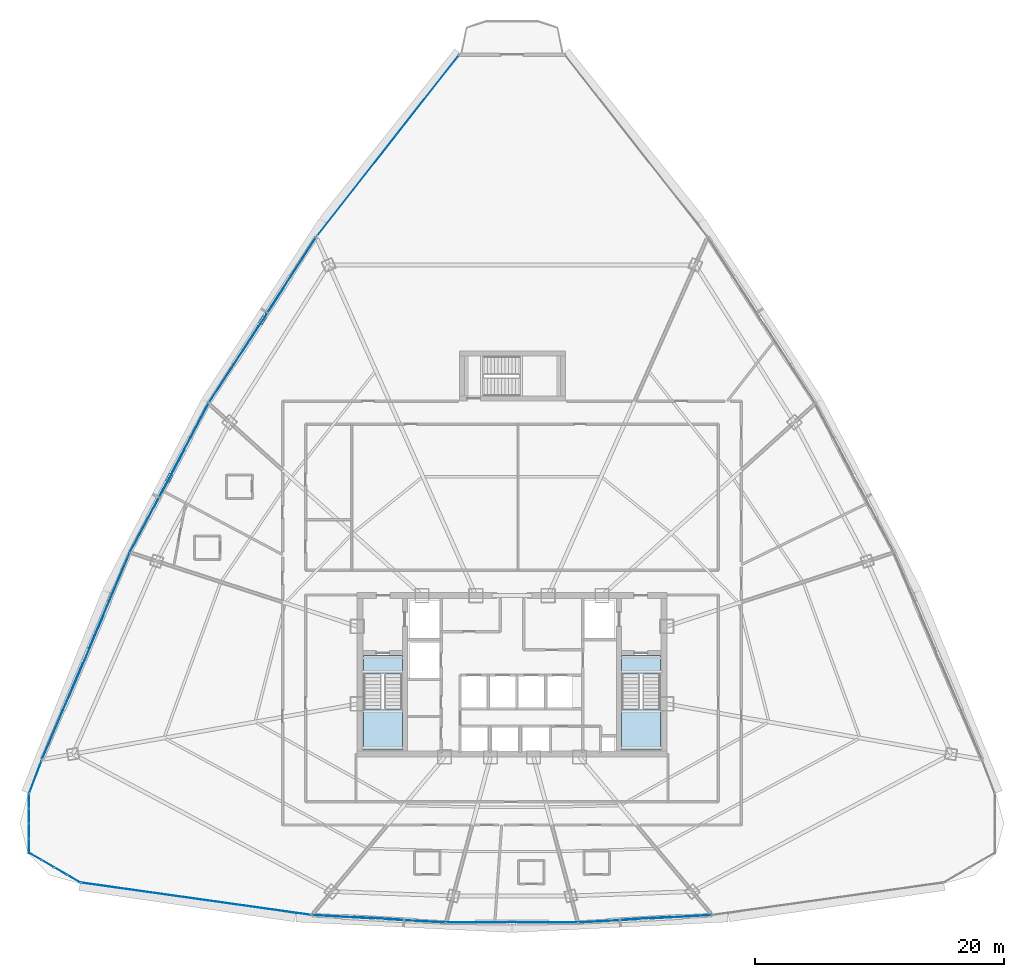
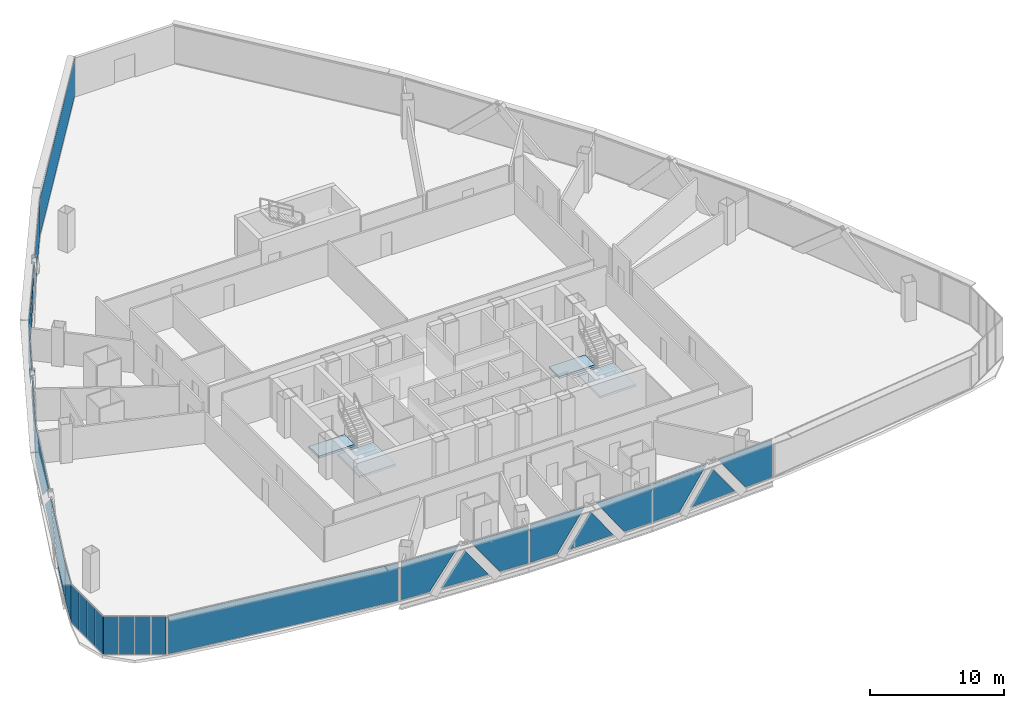
# One storey, part 28 of 40: 31 plates, 4 slabs, 13 elements without a shape of their own.
"""IFC4 building model written with IfcOpenShell, lengths in metres."""

import ifcopenshell
import ifcopenshell.guid

model = None  # the IFC model being written
_history = None  # IfcOwnerHistory: only IFC2X3 demands one
_inside = {}  # id of a spatial element -> (the spatial element, [elements in it])
_under = {}  # id of a project, library or spatial element -> (it, [spatial elements below it])
_declared = {}  # id of a project -> (the project, [libraries it declares])
_typed = {}  # id of a type object -> (the type object, [elements of that type])
_made_of = {}  # id of a material, layer set ... -> (it, [elements and type objects made of it])


def new_model(schema):
    """Start an empty IFC model of exactly this schema.

    Asked for "IFC4X3", IfcOpenShell would pick the latest addendum, in which some entities
    have other attributes; the version numbers below select the first issue.
    IFC2X3 requires an IfcOwnerHistory on every rooted entity: one is made here for all.
    """
    global model, _history
    if schema == "IFC4X3":
        model = ifcopenshell.file(schema_version=(4, 3, 0, 0))
    else:
        model = ifcopenshell.file(schema=schema)
    _inside.clear()
    _under.clear()
    _declared.clear()
    _typed.clear()
    _made_of.clear()
    _history = None
    if model.schema == "IFC2X3":
        org = make("IfcOrganization", Name="unknown")
        user = make(
            "IfcPersonAndOrganization",
            ThePerson=make("IfcPerson", FamilyName="unknown"),
            TheOrganization=org,
        )
        app = make(
            "IfcApplication",
            ApplicationDeveloper=org,
            Version="unknown",
            ApplicationFullName="unknown",
            ApplicationIdentifier="unknown",
        )
        _history = make(
            "IfcOwnerHistory",
            OwningUser=user,
            OwningApplication=app,
            ChangeAction="ADDED",
            CreationDate=0,
        )
    return model


def make(cls, **values):
    """One entity of the class cls with the attributes given. An attribute that is None is left unset."""
    return model.create_entity(
        cls, **{name: value for name, value in values.items() if value is not None}
    )


def rooted(cls, **values):
    """An entity with a GlobalId (a new one), such as an element, a storey or a relation."""
    return make(cls, GlobalId=ifcopenshell.guid.new(), OwnerHistory=_history, **values)


def si_unit(unit_type, name, prefix=None):
    """IfcSIUnit, for example si_unit("LENGTHUNIT", "METRE", prefix="MILLI")."""
    return make("IfcSIUnit", UnitType=unit_type, Prefix=prefix, Name=name)


def assignment(units):
    """IfcUnitAssignment: the units of a project."""
    return None if units is None else make("IfcUnitAssignment", Units=units)


def point(xyz):
    """IfcCartesianPoint."""
    return None if xyz is None else make("IfcCartesianPoint", Coordinates=xyz)


def direction(xyz):
    """IfcDirection."""
    return None if xyz is None else make("IfcDirection", DirectionRatios=xyz)


def frame(location, z_axis=None, x_axis=None):
    """IfcAxis2Placement3D, a coordinate frame: its origin and axes. An axis left out is left unset."""
    return make(
        "IfcAxis2Placement3D",
        Location=point(location),
        Axis=direction(z_axis),
        RefDirection=direction(x_axis),
    )


def frame_2d(location, x_axis=None):
    """IfcAxis2Placement2D, a coordinate frame in the plane: its origin and x axis."""
    return make(
        "IfcAxis2Placement2D", Location=point(location), RefDirection=direction(x_axis)
    )


def origin():
    """The frame at (0, 0, 0) with its axes left unset."""
    return frame((0.0, 0.0, 0.0))


def origin_2d():
    """The frame at (0, 0) in the plane with its x axis left unset."""
    return frame_2d((0.0, 0.0))


def place(relative_to, where):
    """IfcLocalPlacement: puts the frame where relative to a parent placement (None: the world)."""
    return make(
        "IfcLocalPlacement", PlacementRelTo=relative_to, RelativePlacement=where
    )


def context(
    kind, dimensions, precision=None, world=None, true_north=None, identifier=None
):
    """IfcGeometricRepresentationContext, for example the 3D "Model" context."""
    return make(
        "IfcGeometricRepresentationContext",
        ContextIdentifier=identifier,
        ContextType=kind,
        CoordinateSpaceDimension=dimensions,
        Precision=precision,
        WorldCoordinateSystem=world,
        TrueNorth=true_north,
    )


def subcontext(parent, identifier, kind, view, scale=None):
    """IfcGeometricRepresentationSubContext, for example "Body" below "Model"."""
    return make(
        "IfcGeometricRepresentationSubContext",
        ContextIdentifier=identifier,
        ContextType=kind,
        ParentContext=parent,
        TargetScale=scale,
        TargetView=view,
    )


def project(units=None, contexts=None):
    """IfcProject with its units and contexts."""
    return rooted(
        "IfcProject",
        Name="project",
        RepresentationContexts=contexts,
        UnitsInContext=assignment(units),
    )


def spatial(cls, under=None, at=None, **own):
    """A site, building, storey or space (cls), placed at a placement, below another one or the project."""
    s = rooted(cls, ObjectPlacement=at, **own)
    if under is not None:
        _under.setdefault(under.id(), (under, []))[1].append(s)
    return s


def polyline(points):
    """IfcPolyline through the points."""
    return make("IfcPolyline", Points=[point(p) for p in points])


def profile(cls, at=None, kind="AREA", **sizes):
    """A parametric profile (cls). Its sizes go by their IFC names, for example OverallWidth=200.0."""
    return make(cls, ProfileType=kind, Position=at, **sizes)


def rectangle(**sizes):
    """IfcRectangleProfileDef."""
    return profile("IfcRectangleProfileDef", **sizes)


def outline(outer, holes=None, kind="AREA"):
    """IfcArbitraryClosedProfileDef: a profile drawn as a closed curve; with holes, ...WithVoids."""
    if holes is None:
        return make("IfcArbitraryClosedProfileDef", ProfileType=kind, OuterCurve=outer)
    return make(
        "IfcArbitraryProfileDefWithVoids",
        ProfileType=kind,
        OuterCurve=outer,
        InnerCurves=holes,
    )


def extrude(swept, where, along, depth):
    """IfcExtrudedAreaSolid: the profile swept, set in the frame where, extruded along a direction by depth."""
    return make(
        "IfcExtrudedAreaSolid",
        SweptArea=swept,
        Position=where,
        ExtrudedDirection=direction(along),
        Depth=depth,
    )


def shape(context_of_items, identifier, shape_type, items):
    """IfcShapeRepresentation: the items that make up one representation, for example the "Body"."""
    return make(
        "IfcShapeRepresentation",
        ContextOfItems=context_of_items,
        RepresentationIdentifier=identifier,
        RepresentationType=shape_type,
        Items=items,
    )


def source(mapping_origin, context_of_items, identifier, shape_type, items):
    """IfcRepresentationMap: a shape defined once, which mapped items show again and again."""
    return make(
        "IfcRepresentationMap",
        MappingOrigin=mapping_origin,
        MappedRepresentation=shape(context_of_items, identifier, shape_type, items),
    )


def transform(
    local_origin,
    x_axis=None,
    y_axis=None,
    z_axis=None,
    scale=None,
    scale2=None,
    scale3=None,
    uniform=True,
):
    """IfcCartesianTransformationOperator3D, or its non-uniform kind. x_axis, y_axis, z_axis: its Axis1, 2, 3."""
    if uniform:
        return make(
            "IfcCartesianTransformationOperator3D",
            Axis1=direction(x_axis),
            Axis2=direction(y_axis),
            LocalOrigin=point(local_origin),
            Scale=scale,
            Axis3=direction(z_axis),
        )
    return make(
        "IfcCartesianTransformationOperator3DnonUniform",
        Axis1=direction(x_axis),
        Axis2=direction(y_axis),
        LocalOrigin=point(local_origin),
        Scale=scale,
        Axis3=direction(z_axis),
        Scale2=scale2,
        Scale3=scale3,
    )


def mapped(mapping_source, mapping_target):
    """IfcMappedItem: shows the shape of a source again, moved by a transform."""
    return make(
        "IfcMappedItem", MappingSource=mapping_source, MappingTarget=mapping_target
    )


def material(Name=None, Category=None):
    """IfcMaterial."""
    return make("IfcMaterial", Name=Name, Category=Category)


def layer(
    of_material, thickness, ventilated=None, Name=None, Category=None, Priority=None
):
    """IfcMaterialLayer: one layer of a wall or slab, of a material (None: an air gap)."""
    return make(
        "IfcMaterialLayer",
        Material=of_material,
        LayerThickness=thickness,
        IsVentilated=ventilated,
        Name=Name,
        Category=Category,
        Priority=Priority,
    )


def layer_set(layers, Name=None):
    """IfcMaterialLayerSet."""
    return make("IfcMaterialLayerSet", MaterialLayers=layers, LayerSetName=Name)


def made_of(thing, what):
    """Note that an element or type object is made of a material, layer set ...; save() writes the relation."""
    if what is not None:
        _made_of.setdefault(what.id(), (what, []))[1].append(thing)
    return thing


def type_object(cls, material=None, **own):
    """A type object (cls), such as IfcWallType, which elements share."""
    return made_of(rooted(cls, **own), material)


def element(
    cls,
    number,
    at=None,
    inside=None,
    cuts=None,
    type_object=None,
    material=None,
    context=None,
    identifier="Body",
    shape_type=None,
    held_by="IfcProductDefinitionShape",
    body=None,
    shapes=None,
    **own,
):
    """One element of the class cls, such as IfcWall. Its Tag is "e" and its number.

    at: its placement. inside: the storey or other place that contains it. cuts: it is an
    opening in that element (IfcRelVoidsElement). A single representation is given by context,
    identifier, shape_type and body (its items); several are given by shapes. held_by: the class
    of the entity that holds the representations. save() writes the other relations.
    """
    e = rooted(cls, Tag="e%d" % number, ObjectPlacement=at, **own)
    if body is not None:
        shapes = [shape(context, identifier, shape_type, body)]
    if shapes is not None:
        e.Representation = make(held_by, Representations=shapes)
    if inside is not None:
        _inside.setdefault(inside.id(), (inside, []))[1].append(e)
    if cuts is not None:
        rooted(
            "IfcRelVoidsElement", RelatingBuildingElement=cuts, RelatedOpeningElement=e
        )
    if type_object is not None:
        _typed.setdefault(type_object.id(), (type_object, []))[1].append(e)
    return made_of(e, material)


def aggregate(whole, parts):
    """IfcRelAggregates: a whole, such as a stair, and the parts it consists of."""
    return rooted("IfcRelAggregates", RelatingObject=whole, RelatedObjects=parts)


def save(model, path):
    """Write the relations noted so far, then the file.

    IfcRelAggregates (storeys below a building ...), IfcRelContainedInSpatialStructure (elements
    in a storey), IfcRelDefinesByType, IfcRelAssociatesMaterial and IfcRelDeclares: one each for
    every whole, place, type object, material and project.
    """
    for whole, parts in _under.values():
        aggregate(whole, parts)
    for where, things in _inside.values():
        rooted(
            "IfcRelContainedInSpatialStructure",
            RelatedElements=things,
            RelatingStructure=where,
        )
    for kind, things in _typed.values():
        rooted("IfcRelDefinesByType", RelatedObjects=things, RelatingType=kind)
    for what, things in _made_of.values():
        rooted("IfcRelAssociatesMaterial", RelatedObjects=things, RelatingMaterial=what)
    for by, libraries in _declared.values():
        rooted("IfcRelDeclares", RelatingContext=by, RelatedDefinitions=libraries)
    model.write(path)


model = new_model("IFC4")

# Units and contexts
model_context = context("Model", 3, precision=1e-05, world=origin(), true_north=direction((0.0, 1.0)))
body_context = subcontext(model_context, "Body", "Model", "MODEL_VIEW")
ifc_project = project(units=[si_unit("LENGTHUNIT", "METRE"), si_unit("AREAUNIT", "SQUARE_METRE"), si_unit("VOLUMEUNIT", "CUBIC_METRE"), si_unit("PLANEANGLEUNIT", "RADIAN"), si_unit("MASSUNIT", "GRAM", prefix="KILO"), si_unit("THERMODYNAMICTEMPERATUREUNIT", "KELVIN"), si_unit("POWERUNIT", "WATT")], contexts=[model_context])

# Site, building, storey
site_placement = place(None, origin())
site = spatial("IfcSite", under=ifc_project, at=site_placement, CompositionType="ELEMENT")
building_placement = place(site_placement, origin())
building = spatial("IfcBuilding", under=site, at=building_placement, Name="Yunzhuo Pagoda Commons", CompositionType="ELEMENT")
storey_placement = place(building_placement, frame((0.0, 0.0, 180.9599609375)))
storey = spatial("IfcBuildingStorey", under=building, at=storey_placement, Name="L45", CompositionType="ELEMENT", Elevation=180.9599609375)

# Curtain wall, plates
ifc_material_1 = material(Name="Anodized aluminium 6063-T6", Category="aluminium")
ifc_layer_1 = layer(ifc_material_1, 0.14990234375)
ifc_layer_set_1 = layer_set([ifc_layer_1], Name="Anodized aluminium 6063-T6")
curtain_wall_type_1 = type_object("IfcCurtainWallType", Name="CW-MID Mid-Zone Ribbon Curtain Wall", PredefinedType="NOTDEFINED", material=ifc_layer_set_1)
curtain_wall_1_placement = place(storey_placement, origin())
curtain_wall_1 = element("IfcCurtainWall", 1, at=curtain_wall_1_placement, inside=storey, type_object=curtain_wall_type_1, Name="L45 curtain wall CW-L45-F1B2", PredefinedType="NOTDEFINED")
ifc_material_2 = material(Name="Tempered low-e double glazing", Category="glass")
ifc_layer_2 = layer(ifc_material_2, 0.028076171875)
ifc_layer_set_2 = layer_set([ifc_layer_2], Name="Tempered low-e double glazing")
plate_type_1 = type_object("IfcPlateType", Name="CW-MID-P Low-E Double Glazing 28", PredefinedType="CURTAIN_PANEL", material=ifc_layer_set_2)
plate_1_placement = place(storey_placement, frame((34.421630859375, 14.45068359375, 1.77001953125), z_axis=(-0.056142665584, -0.998422756702, 0.0), x_axis=(0.998422756702, -0.056142665584, 0.0)))
plate_1 = element("IfcPlate", 2, at=plate_1_placement, type_object=plate_type_1, Name="CW panel 1.1 lite 1", PredefinedType="CURTAIN_PANEL", context=body_context, shape_type="SweptSolid", body=[
    extrude(outline(polyline([(-2.412109375, -1.715087890625), (-0.02001953125, -1.715087890625), (2.412109375, 1.715087890625), (-2.412109375, 1.715087890625), (-2.412109375, -1.715087890625)])), origin(), (0.0, 0.0, 1.0), 0.028076171875),
])
plate_2_placement = place(storey_placement, frame((37.33544921875, 14.31689453125, 1.468994140625), z_axis=(-0.056142665584, -0.998422756702, 0.0), x_axis=(0.998422756702, -0.056142665584, 0.0)))
plate_2 = element("IfcPlate", 3, at=plate_2_placement, type_object=plate_type_1, Name="CW panel 1.1 lite 2", PredefinedType="CURTAIN_PANEL", context=body_context, shape_type="SweptSolid", body=[
    extrude(outline(polyline([(-2.00537109375, -1.4140625), (2.00537109375, -1.4140625), (0.0, 1.4140625), (-2.00537109375, -1.4140625)])), origin(), (0.0, 0.0, 1.0), 0.028076171875),
])
plate_3_placement = place(storey_placement, frame((40.24609375, 14.123046875, 1.77001953125), z_axis=(-0.056142665584, -0.998422756702, 0.0), x_axis=(0.998422756702, -0.056142665584, 0.0)))
plate_3 = element("IfcPlate", 4, at=plate_3_placement, type_object=plate_type_1, Name="CW panel 1.1 lite 3", PredefinedType="CURTAIN_PANEL", context=body_context, shape_type="SweptSolid", body=[
    extrude(outline(polyline([(-2.412109375, 1.715087890625), (0.02001953125, -1.715087890625), (2.412109375, -1.715087890625), (2.412109375, 1.715087890625), (-2.412109375, 1.715087890625)])), origin(), (0.0, 0.0, 1.0), 0.028076171875),
])
aggregate(curtain_wall_1, [plate_1, plate_2, plate_3])

curtain_wall_2_placement = place(storey_placement, origin())
curtain_wall_2 = element("IfcCurtainWall", 5, at=curtain_wall_2_placement, inside=storey, type_object=curtain_wall_type_1, Name="L45 curtain wall CW-L45-F1B3", PredefinedType="NOTDEFINED")
plate_4_placement = place(storey_placement, frame((45.13623046875, 13.984375, 1.77001953125), z_axis=(0.0, -1.0, 0.0), x_axis=(1.0, 0.0, 0.0)))
plate_4 = element("IfcPlate", 6, at=plate_4_placement, type_object=plate_type_1, Name="CW panel 1.1 lite 1", PredefinedType="CURTAIN_PANEL", context=body_context, shape_type="SweptSolid", body=[
    extrude(outline(polyline([(-2.36279296875, -1.715087890625), (-0.023193359375, -1.715087890625), (2.36279296875, 1.715087890625), (-2.36279296875, 1.715087890625), (-2.36279296875, -1.715087890625)])), origin(), (0.0, 0.0, 1.0), 0.028076171875),
])
plate_5_placement = place(storey_placement, frame((48.0, 14.0146484375, 1.46484375), z_axis=(0.0, -1.0, 0.0), x_axis=(1.0, 0.0, 0.0)))
plate_5 = element("IfcPlate", 7, at=plate_5_placement, type_object=plate_type_1, Name="CW panel 1.1 lite 2", PredefinedType="CURTAIN_PANEL", context=body_context, shape_type="SweptSolid", body=[
    extrude(outline(polyline([(-1.961181640625, -1.409912109375), (1.961181640625, -1.409912109375), (0.0, 1.409912109375), (-1.961181640625, -1.409912109375)])), origin(), (0.0, 0.0, 1.0), 0.028076171875),
])
plate_6_placement = place(storey_placement, frame((50.86376953125, 13.984375, 1.77001953125), z_axis=(0.0, -1.0, 0.0), x_axis=(1.0, 0.0, 0.0)))
plate_6 = element("IfcPlate", 8, at=plate_6_placement, type_object=plate_type_1, Name="CW panel 1.1 lite 3", PredefinedType="CURTAIN_PANEL", context=body_context, shape_type="SweptSolid", body=[
    extrude(outline(polyline([(-2.36279296875, 1.715087890625), (0.023193359375, -1.715087890625), (2.36279296875, -1.715087890625), (2.36279296875, 1.715087890625), (-2.36279296875, 1.715087890625)])), origin(), (0.0, 0.0, 1.0), 0.028076171875),
])
aggregate(curtain_wall_2, [plate_4, plate_5, plate_6])

curtain_wall_3_placement = place(storey_placement, origin())
curtain_wall_3 = element("IfcCurtainWall", 9, at=curtain_wall_3_placement, inside=storey, type_object=curtain_wall_type_1, Name="L45 curtain wall CW-L45-F1B4", PredefinedType="NOTDEFINED")
plate_7_placement = place(storey_placement, frame((55.75390625, 14.123046875, 1.77001953125), z_axis=(0.056142665584, -0.998422756702, 0.0), x_axis=(0.998422756702, 0.056142665584, 0.0)))
plate_7 = element("IfcPlate", 10, at=plate_7_placement, type_object=plate_type_1, Name="CW panel 1.1 lite 1", PredefinedType="CURTAIN_PANEL", context=body_context, shape_type="SweptSolid", body=[
    extrude(outline(polyline([(-2.412109375, -1.715087890625), (-0.02001953125, -1.715087890625), (2.412109375, 1.715087890625), (-2.412109375, 1.715087890625), (-2.412109375, -1.715087890625)])), origin(), (0.0, 0.0, 1.0), 0.028076171875),
])
plate_8_placement = place(storey_placement, frame((58.66455078125, 14.31689453125, 1.468994140625), z_axis=(0.056142665584, -0.998422756702, 0.0), x_axis=(0.998422756702, 0.056142665584, 0.0)))
plate_8 = element("IfcPlate", 11, at=plate_8_placement, type_object=plate_type_1, Name="CW panel 1.1 lite 2", PredefinedType="CURTAIN_PANEL", context=body_context, shape_type="SweptSolid", body=[
    extrude(outline(polyline([(-2.00537109375, -1.4140625), (2.00537109375, -1.4140625), (0.0, 1.4140625), (-2.00537109375, -1.4140625)])), origin(), (0.0, 0.0, 1.0), 0.028076171875),
])
plate_9_placement = place(storey_placement, frame((61.578369140625, 14.45068359375, 1.77001953125), z_axis=(0.056142665584, -0.998422756702, 0.0), x_axis=(0.998422756702, 0.056142665584, 0.0)))
plate_9 = element("IfcPlate", 12, at=plate_9_placement, type_object=plate_type_1, Name="CW panel 1.1 lite 3", PredefinedType="CURTAIN_PANEL", context=body_context, shape_type="SweptSolid", body=[
    extrude(outline(polyline([(-2.412109375, 1.715087890625), (0.02001953125, -1.715087890625), (2.412109375, -1.715087890625), (2.412109375, 1.715087890625), (-2.412109375, 1.715087890625)])), origin(), (0.0, 0.0, 1.0), 0.028076171875),
])
aggregate(curtain_wall_3, [plate_7, plate_8, plate_9])

curtain_wall_4_placement = place(storey_placement, origin())
curtain_wall_4 = element("IfcCurtainWall", 13, at=curtain_wall_4_placement, inside=storey, type_object=curtain_wall_type_1, Name="L45 curtain wall CW-L45-F3B2", PredefinedType="NOTDEFINED")
plate_10_placement = place(storey_placement, frame((30.302001953125, 65.84619140625, 1.77001953125), z_axis=(-0.839626850374, 0.543163651335, 0.0), x_axis=(-0.543163651335, -0.839626850374, 0.0)))
plate_10 = element("IfcPlate", 14, at=plate_10_placement, type_object=plate_type_1, Name="CW panel 1.1 lite 1", PredefinedType="CURTAIN_PANEL", context=body_context, shape_type="SweptSolid", body=[
    extrude(outline(polyline([(-3.64111328125, -1.715087890625), (0.05322265625, -1.715087890625), (3.64111328125, 1.715087890625), (-3.64111328125, 1.715087890625), (-3.64111328125, -1.715087890625)])), origin(), (0.0, 0.0, 1.0), 0.028076171875),
])
plate_11_placement = place(storey_placement, frame((28.01953125, 62.2626953125, 1.53466796875), z_axis=(-0.839626850374, 0.543163651335, 0.0), x_axis=(-0.543163651335, -0.839626850374, 0.0)))
plate_11 = element("IfcPlate", 15, at=plate_11_placement, type_object=plate_type_1, Name="CW panel 1.1 lite 2", PredefinedType="CURTAIN_PANEL", context=body_context, shape_type="SweptSolid", body=[
    extrude(outline(polyline([(-3.095458984375, -1.4794921875), (3.095458984375, -1.4794921875), (0.0, 1.479736328125), (-3.095458984375, -1.4794921875)])), origin(), (0.0, 0.0, 1.0), 0.028076171875),
])
plate_12_placement = place(storey_placement, frame((25.6865234375, 58.711669921875, 1.77001953125), z_axis=(-0.839626850374, 0.543163651335, 0.0), x_axis=(-0.543163651335, -0.839626850374, 0.0)))
plate_12 = element("IfcPlate", 16, at=plate_12_placement, type_object=plate_type_1, Name="CW panel 1.1 lite 3", PredefinedType="CURTAIN_PANEL", context=body_context, shape_type="SweptSolid", body=[
    extrude(outline(polyline([(-3.64111328125, 1.715087890625), (-0.05322265625, -1.715087890625), (3.64111328125, -1.715087890625), (3.64111328125, 1.715087890625), (-3.64111328125, 1.715087890625)])), origin(), (0.0, 0.0, 1.0), 0.028076171875),
])
aggregate(curtain_wall_4, [plate_10, plate_11, plate_12])

curtain_wall_5_placement = place(storey_placement, origin())
curtain_wall_5 = element("IfcCurtainWall", 17, at=curtain_wall_5_placement, inside=storey, type_object=curtain_wall_type_1, Name="L45 curtain wall CW-L45-F3B3", PredefinedType="NOTDEFINED")
plate_13_placement = place(storey_placement, frame((22.2158203125, 52.83642578125, 1.77001953125), z_axis=(-0.884373131246, 0.46678063877, 0.0), x_axis=(-0.46678063877, -0.884373131246, 0.0)))
plate_13 = element("IfcPlate", 18, at=plate_13_placement, type_object=plate_type_1, Name="CW panel 1.1 lite 1", PredefinedType="CURTAIN_PANEL", context=body_context, shape_type="SweptSolid", body=[
    extrude(outline(polyline([(-3.070556640625, -1.715087890625), (0.020263671875, -1.715087890625), (3.070556640625, 1.715087890625), (-3.070556640625, 1.715087890625), (-3.070556640625, -1.715087890625)])), origin(), (0.0, 0.0, 1.0), 0.028076171875),
])
plate_14_placement = place(storey_placement, frame((20.548828125, 49.61376953125, 1.51171875), z_axis=(-0.884373131246, 0.46678063877, 0.0), x_axis=(-0.46678063877, -0.884373131246, 0.0)))
plate_14 = element("IfcPlate", 19, at=plate_14_placement, type_object=plate_type_1, Name="CW panel 1.1 lite 2", PredefinedType="CURTAIN_PANEL", context=body_context, shape_type="SweptSolid", body=[
    extrude(outline(polyline([(-2.5908203125, -1.45654296875), (2.5908203125, -1.45654296875), (0.0, 1.45654296875), (-2.5908203125, -1.45654296875)])), origin(), (0.0, 0.0, 1.0), 0.028076171875),
])
plate_15_placement = place(storey_placement, frame((18.82861328125, 46.419189453125, 1.77001953125), z_axis=(-0.884373131246, 0.46678063877, 0.0), x_axis=(-0.46678063877, -0.884373131246, 0.0)))
plate_15 = element("IfcPlate", 20, at=plate_15_placement, type_object=plate_type_1, Name="CW panel 1.1 lite 3", PredefinedType="CURTAIN_PANEL", context=body_context, shape_type="SweptSolid", body=[
    extrude(outline(polyline([(-3.07080078125, 1.715087890625), (-0.020263671875, -1.715087890625), (3.070556640625, -1.715087890625), (3.070556640625, 1.715087890625), (-3.07080078125, 1.715087890625)])), origin(), (0.0, 0.0, 1.0), 0.028076171875),
])
aggregate(curtain_wall_5, [plate_13, plate_14, plate_15])

curtain_wall_6_placement = place(storey_placement, origin())
curtain_wall_6 = element("IfcCurtainWall", 21, at=curtain_wall_6_placement, inside=storey, type_object=curtain_wall_type_1, Name="L45 curtain wall CW-L45-F3B4", PredefinedType="NOTDEFINED")
plate_16_placement = place(storey_placement, frame((15.72216796875, 39.77490234375, 1.77001953125), z_axis=(-0.920515325194, 0.390706457693, 0.0), x_axis=(-0.390706457693, -0.920515325194, 0.0)))
plate_16 = element("IfcPlate", 22, at=plate_16_placement, type_object=plate_type_1, Name="CW panel 1.1 lite 1", PredefinedType="CURTAIN_PANEL", context=body_context, shape_type="SweptSolid", body=[
    extrude(outline(polyline([(-4.15185546875, -1.715087890625), (0.08154296875, -1.715087890625), (4.151611328125, 1.715087890625), (-4.15185546875, 1.715087890625), (-4.15185546875, -1.715087890625)])), origin(), (0.0, 0.0, 1.0), 0.028076171875),
])
plate_17_placement = place(storey_placement, frame((13.871826171875, 35.33837890625, 1.549072265625), z_axis=(-0.920515325194, 0.390706457693, 0.0), x_axis=(-0.390706457693, -0.920515325194, 0.0)))
plate_17 = element("IfcPlate", 23, at=plate_17_placement, type_object=plate_type_1, Name="CW panel 1.1 lite 2", PredefinedType="CURTAIN_PANEL", context=body_context, shape_type="SweptSolid", body=[
    extrude(outline(polyline([(-3.545654296875, -1.494140625), (3.545654296875, -1.494140625), (0.0, 1.493896484375), (-3.545654296875, -1.494140625)])), origin(), (0.0, 0.0, 1.0), 0.028076171875),
])
plate_18_placement = place(storey_placement, frame((11.96630859375, 30.925537109375, 1.77001953125), z_axis=(-0.920515325194, 0.390706457693, 0.0), x_axis=(-0.390706457693, -0.920515325194, 0.0)))
plate_18 = element("IfcPlate", 24, at=plate_18_placement, type_object=plate_type_1, Name="CW panel 1.1 lite 3", PredefinedType="CURTAIN_PANEL", context=body_context, shape_type="SweptSolid", body=[
    extrude(outline(polyline([(-4.151611328125, 1.715087890625), (-0.08154296875, -1.715087890625), (4.15185546875, -1.715087890625), (4.15185546875, 1.715087890625), (-4.151611328125, 1.715087890625)])), origin(), (0.0, 0.0, 1.0), 0.028076171875),
])
aggregate(curtain_wall_6, [plate_16, plate_17, plate_18])

# Stair, slabs
ifc_material_3 = material(Name="Concrete C40", Category="concrete")
stair_type_1 = type_object("IfcStairType", Name="ST-C1 Core Smokeproof Stair ST1", PredefinedType="HALF_TURN_STAIR", material=ifc_material_3)
stair_1_placement = place(storey_placement, origin())
stair_1 = element("IfcStair", 25, at=stair_1_placement, inside=storey, type_object=stair_type_1, Name="L45 Core smokeproof stair ST1", PredefinedType="HALF_TURN_STAIR")
ifc_layer_3 = layer(ifc_material_3, 0.199951171875)
ifc_layer_set_3 = layer_set([ifc_layer_3], Name="Concrete C40")
slab_type_1 = type_object("IfcSlabType", Name="SL-LND1 Stair Landing Slab 200", PredefinedType="LANDING", material=ifc_layer_set_3)
slab_1_placement = place(storey_placement, frame((0.0, 0.0, 1.699951171875)))
slab_1 = element("IfcSlab", 26, at=slab_1_placement, type_object=slab_type_1, Name="ST1 landing 1", PredefinedType="LANDING", context=body_context, shape_type="SweptSolid", body=[
    extrude(outline(polyline([(36.10009765625, 31.10009765625), (36.10009765625, 27.800048828125), (39.199951171875, 27.800048828125), (39.199951171875, 31.10009765625), (36.10009765625, 31.10009765625)])), origin(), (0.0, 0.0, 1.0), 0.2001953125),
])
slab_2_placement = place(storey_placement, frame((0.0, 0.0, -0.199951171875)))
slab_2 = element("IfcSlab", 27, at=slab_2_placement, type_object=slab_type_1, Name="ST1 floor landing L45", PredefinedType="LANDING", context=body_context, shape_type="SweptSolid", body=[
    extrude(outline(polyline([(36.10009765625, 35.39990234375), (36.10009765625, 33.89990234375), (39.199951171875, 33.89990234375), (39.199951171875, 35.39990234375), (36.10009765625, 35.39990234375)])), origin(), (0.0, 0.0, 1.0), 0.199951171875),
])
aggregate(stair_1, [slab_1, slab_2])

stair_type_2 = type_object("IfcStairType", Name="ST-C2 Core Smokeproof Stair ST2", PredefinedType="HALF_TURN_STAIR", material=ifc_material_3)
stair_2_placement = place(storey_placement, origin())
stair_2 = element("IfcStair", 28, at=stair_2_placement, inside=storey, type_object=stair_type_2, Name="L45 Core smokeproof stair ST2", PredefinedType="HALF_TURN_STAIR")
ifc_layer_4 = layer(ifc_material_3, 0.201904296875)
ifc_layer_set_4 = layer_set([ifc_layer_4], Name="Concrete C40")
slab_type_2 = type_object("IfcSlabType", Name="SL-LND2 Stair Landing Slab 202", PredefinedType="LANDING", material=ifc_layer_set_4)
slab_3_placement = place(storey_placement, frame((0.0, 0.0, 1.699951171875)))
slab_3 = element("IfcSlab", 29, at=slab_3_placement, type_object=slab_type_2, Name="ST2 landing 1", PredefinedType="LANDING", context=body_context, shape_type="SweptSolid", body=[
    extrude(outline(polyline([(56.800048828125, 31.10009765625), (56.800048828125, 27.800048828125), (59.89990234375, 27.800048828125), (59.89990234375, 31.10009765625), (56.800048828125, 31.10009765625)])), origin(), (0.0, 0.0, 1.0), 0.2001953125),
])
slab_4_placement = place(storey_placement, frame((0.0, 0.0, -0.199951171875)))
slab_4 = element("IfcSlab", 30, at=slab_4_placement, type_object=slab_type_2, Name="ST2 floor landing L45", PredefinedType="LANDING", context=body_context, shape_type="SweptSolid", body=[
    extrude(outline(polyline([(56.800048828125, 35.39990234375), (56.800048828125, 33.89990234375), (59.89990234375, 33.89990234375), (59.89990234375, 35.39990234375), (56.800048828125, 35.39990234375)])), origin(), (0.0, 0.0, 1.0), 0.199951171875),
])
aggregate(stair_2, [slab_3, slab_4])

# Plates
ifc_material_4 = material(Name="Structural steel Q355B", Category="steel")
ifc_layer_5 = layer(ifc_material_4, 0.028076171875)
ifc_layer_set_5 = layer_set([ifc_layer_5], Name="Structural steel Q355B")
plate_type_2 = type_object("IfcPlateType", Name="SP-ND1 Lattice Node Cap Plate 800x500x28", PredefinedType="USERDEFINED", material=ifc_layer_set_5)
shared_shape_1 = source(origin(), body_context, "Body", "SweptSolid", [
    extrude(rectangle(XDim=0.699951171875, YDim=0.35009765625, at=origin_2d()), origin(), (0.0, 0.0, 1.0), 0.035888671875),
])
for number, where, z_axis, x_axis, name in (
    (31, (27.982666015625, 62.28662109375, 3.501953125), (0.0, 0.0, 1.0), (-0.543159795737, -0.839629344589, 0.0), "L45 setback lattice tie plate F3.1L"),
    (32, (20.509765625, 49.634521484375, 3.501953125), (0.0, 0.0, 1.0), (-0.46678800242, -0.884369244601, 0.0), "L45 setback lattice tie plate F3.2L"),
):
    element("IfcPlate", number, at=place(storey_placement, frame(where, z_axis=z_axis, x_axis=x_axis)), inside=storey, type_object=plate_type_2, Name=name, ObjectType="STIFFENER_PLATE", PredefinedType="USERDEFINED", context=body_context, shape_type="MappedRepresentation", body=[
        mapped(shared_shape_1, transform((0.0, 0.0, 0.0), scale=1.0)),
    ])

# Curtain wall, plate
curtain_wall_7_placement = place(storey_placement, origin())
curtain_wall_7 = element("IfcCurtainWall", 33, at=curtain_wall_7_placement, inside=storey, type_object=curtain_wall_type_1, Name="L45 curtain wall CW-L45-F1B1", PredefinedType="NOTDEFINED")
shared_shape_2 = source(origin(), body_context, "Body", "SweptSolid", [
    extrude(rectangle(XDim=18.564453125, YDim=0.028076171875, at=origin_2d()), origin(), (0.0, 0.0, 1.0), 3.429931640625),
])
plate_19_placement = place(storey_placement, frame((22.626953125, 15.88671875, 0.05517578125), z_axis=(0.0, 0.0, 1.0), x_axis=(0.990259634524, -0.139233100351, 0.0)))
plate_19 = element("IfcPlate", 34, at=plate_19_placement, type_object=plate_type_1, Name="CW panel 1.1", PredefinedType="CURTAIN_PANEL", context=body_context, shape_type="MappedRepresentation", body=[
    mapped(shared_shape_2, transform((0.0, 0.0, 0.0), scale=1.0)),
])
aggregate(curtain_wall_7, [plate_19])

curtain_wall_8_placement = place(storey_placement, origin())
curtain_wall_8 = element("IfcCurtainWall", 35, at=curtain_wall_8_placement, inside=storey, type_object=curtain_wall_type_1, Name="L45 curtain wall CW-L45-F3B5", PredefinedType="NOTDEFINED")
shared_shape_3 = source(origin(), body_context, "Body", "SweptSolid", [
    extrude(rectangle(XDim=2.718994140625, YDim=0.028076171875, at=origin_2d()), origin(), (0.0, 0.0, 1.0), 3.429931640625),
])
plate_20_placement = place(storey_placement, frame((9.7783203125, 25.65625, 0.05517578125), z_axis=(0.0, 0.0, 1.0), x_axis=(-0.354256000401, -0.935148483493, 0.0)))
plate_20 = element("IfcPlate", 36, at=plate_20_placement, type_object=plate_type_1, Name="CW panel 1.1", PredefinedType="CURTAIN_PANEL", context=body_context, shape_type="MappedRepresentation", body=[
    mapped(shared_shape_3, transform((0.0, 0.0, 0.0), scale=1.0)),
])
aggregate(curtain_wall_8, [plate_20])

curtain_wall_9_placement = place(storey_placement, origin())
curtain_wall_9 = element("IfcCurtainWall", 37, at=curtain_wall_9_placement, inside=storey, type_object=curtain_wall_type_1, Name="L45 curtain wall CW-L45-F3B1", PredefinedType="NOTDEFINED")
shared_shape_4 = source(origin(), body_context, "Body", "SweptSolid", [
    extrude(rectangle(XDim=18.384765625, YDim=0.028076171875, at=origin_2d()), origin(), (0.0, 0.0, 1.0), 3.429931640625),
])
plate_21_placement = place(storey_placement, frame((38.055908203125, 76.301513671875, 0.05517578125), z_axis=(0.0, 0.0, 1.0), x_axis=(-0.617016460427, -0.786950244655, 0.0)))
plate_21 = element("IfcPlate", 38, at=plate_21_placement, type_object=plate_type_1, Name="CW panel 1.1", PredefinedType="CURTAIN_PANEL", context=body_context, shape_type="MappedRepresentation", body=[
    mapped(shared_shape_4, transform((0.0, 0.0, 0.0), scale=1.0)),
])
aggregate(curtain_wall_9, [plate_21])

# Curtain wall, plates
ifc_layer_6 = layer(ifc_material_1, 0.1298828125)
ifc_layer_set_6 = layer_set([ifc_layer_6], Name="Anodized aluminium 6063-T6")
curtain_wall_type_2 = type_object("IfcCurtainWallType", Name="CW-VTX Rounded Corner Curtain Wall", PredefinedType="NOTDEFINED", material=ifc_layer_set_6)
curtain_wall_10_placement = place(storey_placement, origin())
curtain_wall_10 = element("IfcCurtainWall", 39, at=curtain_wall_10_placement, inside=storey, type_object=curtain_wall_type_2, Name="L45 curtain wall CW-L45-VTX1S1", PredefinedType="NOTDEFINED")
ifc_layer_7 = layer(ifc_material_2, 0.02587890625)
ifc_layer_set_7 = layer_set([ifc_layer_7], Name="Tempered low-e double glazing")
plate_type_3 = type_object("IfcPlateType", Name="CW-VTX-P Low-E Double Glazing 26", PredefinedType="CURTAIN_PANEL", material=ifc_layer_set_7)
shared_shape_5 = source(origin(), body_context, "Body", "SweptSolid", [
    extrude(rectangle(XDim=1.118408203125, YDim=0.028076171875, at=origin_2d()), origin(), (0.0, 0.0, 1.0), 3.429931640625),
])
plate_22_placement = place(storey_placement, frame((9.273193359375, 23.714599609375, 0.05517578125), z_axis=(0.0, 0.0, 1.0), x_axis=(-0.003580326762, -0.99999359061, 0.0)))
plate_22 = element("IfcPlate", 40, at=plate_22_placement, type_object=plate_type_3, Name="CW panel 1.1", PredefinedType="CURTAIN_PANEL", context=body_context, shape_type="MappedRepresentation", body=[
    mapped(shared_shape_5, transform((0.0, 0.0, 0.0), scale=1.0)),
])
plate_23_placement = place(storey_placement, frame((9.260498046875, 20.13916015625, 0.05517578125), z_axis=(0.0, 0.0, 1.0), x_axis=(-0.003580326762, -0.99999359061, 0.0)))
plate_23 = element("IfcPlate", 41, at=plate_23_placement, type_object=plate_type_3, Name="CW panel 4.1", PredefinedType="CURTAIN_PANEL", context=body_context, shape_type="MappedRepresentation", body=[
    mapped(shared_shape_5, transform((0.0, 0.0, 0.0), scale=1.0)),
])

curtain_wall_11_placement = place(storey_placement, origin())
curtain_wall_11 = element("IfcCurtainWall", 42, at=curtain_wall_11_placement, inside=storey, type_object=curtain_wall_type_2, Name="L45 curtain wall CW-L45-VTX1S2", PredefinedType="NOTDEFINED")
plate_24_placement = place(storey_placement, frame((9.75, 19.28662109375, 0.05517578125), z_axis=(0.0, 0.0, 1.0), x_axis=(0.865423910208, -0.501040373263, 0.0)))
plate_24 = element("IfcPlate", 43, at=plate_24_placement, type_object=plate_type_3, Name="CW panel 1.1", PredefinedType="CURTAIN_PANEL", context=body_context, shape_type="MappedRepresentation", body=[
    mapped(shared_shape_5, transform((0.0, 0.0, 0.0), scale=1.0)),
])
plate_25_placement = place(storey_placement, frame((12.84423828125, 17.4951171875, 0.05517578125), z_axis=(0.0, 0.0, 1.0), x_axis=(0.865423910208, -0.501040373263, 0.0)))
plate_25 = element("IfcPlate", 44, at=plate_25_placement, type_object=plate_type_3, Name="CW panel 4.1", PredefinedType="CURTAIN_PANEL", context=body_context, shape_type="MappedRepresentation", body=[
    mapped(shared_shape_5, transform((0.0, 0.0, 0.0), scale=1.0)),
])

# Plate
shared_shape_6 = source(origin(), body_context, "Body", "SweptSolid", [
    extrude(rectangle(XDim=1.14599609375, YDim=0.028076171875, at=origin_2d()), origin(), (0.0, 0.0, 1.0), 3.429931640625),
])
plate_26_placement = place(storey_placement, frame((9.26904296875, 22.52734375, 0.05517578125), z_axis=(0.0, 0.0, 1.0), x_axis=(-0.003580326762, -0.99999359061, 0.0)))
plate_26 = element("IfcPlate", 45, at=plate_26_placement, type_object=plate_type_3, Name="CW panel 2.1", PredefinedType="CURTAIN_PANEL", context=body_context, shape_type="MappedRepresentation", body=[
    mapped(shared_shape_6, transform((0.0, 0.0, 0.0), scale=1.0)),
])

plate_27_placement = place(storey_placement, frame((9.2646484375, 21.326416015625, 0.05517578125), z_axis=(0.0, 0.0, 1.0), x_axis=(-0.003580326762, -0.99999359061, 0.0)))
plate_27 = element("IfcPlate", 46, at=plate_27_placement, type_object=plate_type_3, Name="CW panel 3.1", PredefinedType="CURTAIN_PANEL", context=body_context, shape_type="MappedRepresentation", body=[
    mapped(shared_shape_6, transform((0.0, 0.0, 0.0), scale=1.0)),
])

aggregate(curtain_wall_10, [plate_22, plate_26, plate_27, plate_23])

plate_28_placement = place(storey_placement, frame((10.77734375, 18.69189453125, 0.05517578125), z_axis=(0.0, 0.0, 1.0), x_axis=(0.865423910208, -0.501040373263, 0.0)))
plate_28 = element("IfcPlate", 47, at=plate_28_placement, type_object=plate_type_3, Name="CW panel 2.1", PredefinedType="CURTAIN_PANEL", context=body_context, shape_type="MappedRepresentation", body=[
    mapped(shared_shape_6, transform((0.0, 0.0, 0.0), scale=1.0)),
])

plate_29_placement = place(storey_placement, frame((11.816650390625, 18.090087890625, 0.05517578125), z_axis=(0.0, 0.0, 1.0), x_axis=(0.865423910208, -0.501040373263, 0.0)))
plate_29 = element("IfcPlate", 48, at=plate_29_placement, type_object=plate_type_3, Name="CW panel 3.1", PredefinedType="CURTAIN_PANEL", context=body_context, shape_type="MappedRepresentation", body=[
    mapped(shared_shape_6, transform((0.0, 0.0, 0.0), scale=1.0)),
])

aggregate(curtain_wall_11, [plate_24, plate_28, plate_29, plate_25])

save(model, "model.ifc")
